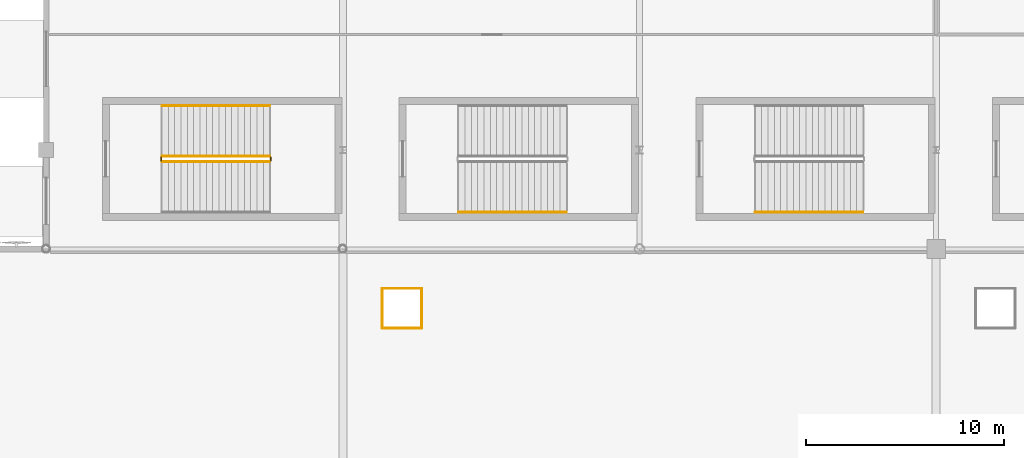
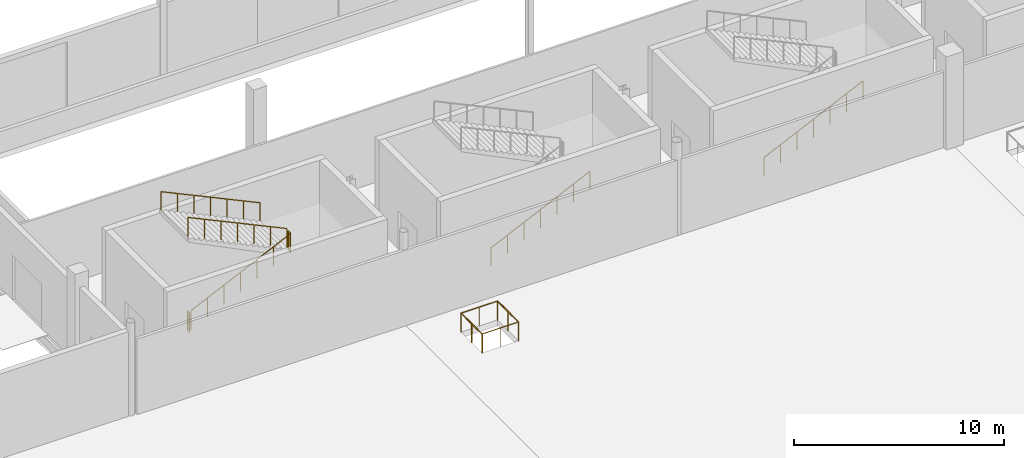
# One storey, part 78 of 94: 11 railings.
"""IFC4 building model written with IfcOpenShell, lengths in metres."""

from ifc_helpers import new_model, si_unit, direction, frame, origin, origin_2d, place, context, subcontext, project, spatial, circle, extrude, material, type_object, element, save


model = new_model("IFC4")

# Units and contexts
model_context = context("Model", 3, precision=1e-05, world=origin(), true_north=direction((0.0, 1.0)))
body_context = subcontext(model_context, "Body", "Model", "MODEL_VIEW")
ifc_project = project(units=[si_unit("LENGTHUNIT", "METRE"), si_unit("AREAUNIT", "SQUARE_METRE"), si_unit("VOLUMEUNIT", "CUBIC_METRE"), si_unit("PLANEANGLEUNIT", "RADIAN"), si_unit("MASSUNIT", "GRAM", prefix="KILO")], contexts=[model_context])

# Site, building, storey
site_placement = place(None, origin())
site = spatial("IfcSite", under=ifc_project, at=site_placement, CompositionType="ELEMENT")
building_placement = place(site_placement, origin())
building = spatial("IfcBuilding", under=site, at=building_placement, Name="Qamarlyn Nura Convention Centre", CompositionType="ELEMENT")
storey_placement = place(building_placement, origin())
storey = spatial("IfcBuildingStorey", under=building, at=storey_placement, Name="L00", CompositionType="ELEMENT", Elevation=0.0)

# Railings
ifc_material = material(Name="Marine Grade 316 stainless steel", Category="steel")
railing_type_1 = type_object("IfcRailingType", Name="GRD-STAIR-112", PredefinedType="BALUSTRADE", material=ifc_material)
railing_1_placement = place(storey_placement, frame((20.860107421875, 107.409912109375, 0.14990234375)))
element("IfcRailing", 1, at=railing_1_placement, inside=storey, type_object=railing_type_1, Name="L00 ST-01 stair guard 1", PredefinedType="BALUSTRADE", context=body_context, shape_type="SweptSolid", body=[
    extrude(circle(Radius=0.02392578125, at=origin_2d()), frame((0.0, 0.0, 1.09619140625), z_axis=(0.90545405566, 0.0, 0.424444287379), x_axis=(0.0, 1.0, 0.0)), (0.0, 0.0, 1.0), 6.008056640625),
    extrude(circle(Radius=0.02099609375, at=origin_2d()), origin(), (0.0, 0.0, 1.0), 1.070068359375),
    extrude(circle(Radius=0.02099609375, at=origin_2d()), frame((0.90673828125, 0.0, 0.425048828125)), (0.0, 0.0, 1.0), 1.070068359375),
    extrude(circle(Radius=0.02099609375, at=origin_2d()), frame((1.813232421875, 0.0, 0.85009765625)), (0.0, 0.0, 1.0), 1.070068359375),
    extrude(circle(Radius=0.02099609375, at=origin_2d()), frame((2.719970703125, 0.0, 1.27490234375)), (0.0, 0.0, 1.0), 1.070068359375),
    extrude(circle(Radius=0.02099609375, at=origin_2d()), frame((3.626708984375, 0.0, 1.699951171875)), (0.0, 0.0, 1.0), 1.070068359375),
    extrude(circle(Radius=0.02099609375, at=origin_2d()), frame((4.533203125, 0.0, 2.125)), (0.0, 0.0, 1.0), 1.070068359375),
    extrude(circle(Radius=0.02099609375, at=origin_2d()), frame((5.43994140625, 0.0, 2.550048828125)), (0.0, 0.0, 1.0), 1.070068359375),
])
railing_2_placement = place(storey_placement, frame((26.35009765625, 107.4599609375, 2.699951171875)))
element("IfcRailing", 2, at=railing_2_placement, inside=storey, type_object=railing_type_1, Name="L00 ST-01 stair guard 2", PredefinedType="BALUSTRADE", context=body_context, shape_type="SweptSolid", body=[
    extrude(circle(Radius=0.02392578125, at=origin_2d()), frame((0.0, 0.0, 1.09619140625), z_axis=(0.0, 1.0, 0.0), x_axis=(-1.0, 0.0, 0.0)), (0.0, 0.0, 1.0), 0.179931640625),
    extrude(circle(Radius=0.02099609375, at=origin_2d()), origin(), (0.0, 0.0, 1.0), 1.070068359375),
    extrude(circle(Radius=0.02099609375, at=origin_2d()), frame((0.0, 0.179931640625, 0.0)), (0.0, 0.0, 1.0), 1.070068359375),
])
railing_3_placement = place(storey_placement, frame((26.300048828125, 107.68994140625, 2.85009765625)))
element("IfcRailing", 3, at=railing_3_placement, inside=storey, type_object=railing_type_1, Name="L00 ST-01 stair guard 3", PredefinedType="BALUSTRADE", context=body_context, shape_type="SweptSolid", body=[
    extrude(circle(Radius=0.02392578125, at=origin_2d()), frame((0.0, 0.0, 1.09619140625), z_axis=(-0.90546967238, 0.0, 0.424410971113), x_axis=(0.0, -1.0, 0.0)), (0.0, 0.0, 1.0), 6.0078125),
    extrude(circle(Radius=0.02099609375, at=origin_2d()), origin(), (0.0, 0.0, 1.0), 1.070068359375),
    extrude(circle(Radius=0.02099609375, at=origin_2d()), frame((-0.90673828125, 0.0, 0.425048828125)), (0.0, 0.0, 1.0), 1.070068359375),
    extrude(circle(Radius=0.02099609375, at=origin_2d()), frame((-1.813232421875, 0.0, 0.849853515625)), (0.0, 0.0, 1.0), 1.070068359375),
    extrude(circle(Radius=0.02099609375, at=origin_2d()), frame((-2.719970703125, 0.0, 1.27490234375)), (0.0, 0.0, 1.0), 1.070068359375),
    extrude(circle(Radius=0.02099609375, at=origin_2d()), frame((-3.626708984375, 0.0, 1.699951171875)), (0.0, 0.0, 1.0), 1.070068359375),
    extrude(circle(Radius=0.02099609375, at=origin_2d()), frame((-4.533203125, 0.0, 2.124755859375)), (0.0, 0.0, 1.0), 1.070068359375),
    extrude(circle(Radius=0.02099609375, at=origin_2d()), frame((-5.43994140625, 0.0, 2.5498046875)), (0.0, 0.0, 1.0), 1.070068359375),
])
railing_4_placement = place(storey_placement, frame((20.81005859375, 107.4599609375, 0.0)))
element("IfcRailing", 4, at=railing_4_placement, inside=storey, type_object=railing_type_1, Name="L00 ST-01 stair guard 4", PredefinedType="BALUSTRADE", context=body_context, shape_type="SweptSolid", body=[
    extrude(circle(Radius=0.02392578125, at=origin_2d()), frame((0.0, 0.0, 1.09619140625), z_axis=(0.0, 1.0, 0.0), x_axis=(-1.0, 0.0, 0.0)), (0.0, 0.0, 1.0), 0.179931640625),
    extrude(circle(Radius=0.02099609375, at=origin_2d()), origin(), (0.0, 0.0, 1.0), 1.070068359375),
    extrude(circle(Radius=0.02099609375, at=origin_2d()), frame((0.0, 0.179931640625, 0.0)), (0.0, 0.0, 1.0), 1.070068359375),
])
railing_type_2 = type_object("IfcRailingType", Name="GRD-VOID-112", PredefinedType="BALUSTRADE", material=ifc_material)
railing_5_placement = place(storey_placement, frame((32.0, 101.0, 0.0)))
element("IfcRailing", 5, at=railing_5_placement, inside=storey, type_object=railing_type_2, Name="L00 slab edge balustrade guard 017", PredefinedType="BALUSTRADE", context=body_context, shape_type="SweptSolid", body=[
    extrude(circle(Radius=0.02392578125, at=origin_2d()), frame((0.0, 0.0, 1.09619140625), z_axis=(0.0, -1.0, 0.0), x_axis=(1.0, 0.0, 0.0)), (0.0, 0.0, 1.0), 2.0),
    extrude(circle(Radius=0.02099609375, at=origin_2d()), origin(), (0.0, 0.0, 1.0), 1.070068359375),
    extrude(circle(Radius=0.02099609375, at=origin_2d()), frame((0.0, -1.0, 0.0)), (0.0, 0.0, 1.0), 1.070068359375),
    extrude(circle(Radius=0.02099609375, at=origin_2d()), frame((0.0, -2.0, 0.0)), (0.0, 0.0, 1.0), 1.070068359375),
])
railing_6_placement = place(storey_placement, frame((32.0, 99.0, 0.0)))
element("IfcRailing", 6, at=railing_6_placement, inside=storey, type_object=railing_type_2, Name="L00 slab edge balustrade guard 018", PredefinedType="BALUSTRADE", context=body_context, shape_type="SweptSolid", body=[
    extrude(circle(Radius=0.02392578125, at=origin_2d()), frame((0.0, 0.0, 1.09619140625), z_axis=(1.0, 0.0, 0.0), x_axis=(0.0, 1.0, 0.0)), (0.0, 0.0, 1.0), 2.0),
    extrude(circle(Radius=0.02099609375, at=origin_2d()), origin(), (0.0, 0.0, 1.0), 1.070068359375),
    extrude(circle(Radius=0.02099609375, at=origin_2d()), frame((1.0, 0.0, 0.0)), (0.0, 0.0, 1.0), 1.070068359375),
    extrude(circle(Radius=0.02099609375, at=origin_2d()), frame((2.0, 0.0, 0.0)), (0.0, 0.0, 1.0), 1.070068359375),
])
railing_7_placement = place(storey_placement, frame((34.0, 99.0, 0.0)))
element("IfcRailing", 7, at=railing_7_placement, inside=storey, type_object=railing_type_2, Name="L00 slab edge balustrade guard 019", PredefinedType="BALUSTRADE", context=body_context, shape_type="SweptSolid", body=[
    extrude(circle(Radius=0.02392578125, at=origin_2d()), frame((0.0, 0.0, 1.09619140625), z_axis=(0.0, 1.0, 0.0), x_axis=(-1.0, 0.0, 0.0)), (0.0, 0.0, 1.0), 2.0),
    extrude(circle(Radius=0.02099609375, at=origin_2d()), origin(), (0.0, 0.0, 1.0), 1.070068359375),
    extrude(circle(Radius=0.02099609375, at=origin_2d()), frame((0.0, 1.0, 0.0)), (0.0, 0.0, 1.0), 1.070068359375),
    extrude(circle(Radius=0.02099609375, at=origin_2d()), frame((0.0, 2.0, 0.0)), (0.0, 0.0, 1.0), 1.070068359375),
])
railing_8_placement = place(storey_placement, frame((34.0, 101.0, 0.0)))
element("IfcRailing", 8, at=railing_8_placement, inside=storey, type_object=railing_type_2, Name="L00 slab edge balustrade guard 020", PredefinedType="BALUSTRADE", context=body_context, shape_type="SweptSolid", body=[
    extrude(circle(Radius=0.02392578125, at=origin_2d()), frame((0.0, 0.0, 1.09619140625), z_axis=(-1.0, 0.0, 0.0), x_axis=(0.0, -1.0, 0.0)), (0.0, 0.0, 1.0), 2.0),
    extrude(circle(Radius=0.02099609375, at=origin_2d()), origin(), (0.0, 0.0, 1.0), 1.070068359375),
    extrude(circle(Radius=0.02099609375, at=origin_2d()), frame((-1.0, 0.0, 0.0)), (0.0, 0.0, 1.0), 1.070068359375),
    extrude(circle(Radius=0.02099609375, at=origin_2d()), frame((-2.0, 0.0, 0.0)), (0.0, 0.0, 1.0), 1.070068359375),
])
railing_type_3 = type_object("IfcRailingType", Name="HRL-STAIR-090", PredefinedType="HANDRAIL", material=ifc_material)
railing_9_placement = place(storey_placement, frame((26.300048828125, 110.25, 3.002197265625)))
element("IfcRailing", 9, at=railing_9_placement, inside=storey, type_object=railing_type_3, Name="L00 ST-01 stair handrail 2", PredefinedType="HANDRAIL", context=body_context, shape_type="SweptSolid", body=[
    extrude(circle(Radius=0.02392578125, at=origin_2d()), frame((0.0, 0.0, 0.88818359375), z_axis=(-0.90545405566, 0.0, 0.424444287379), x_axis=(0.0, -1.0, 0.0)), (0.0, 0.0, 1.0), 6.008056640625),
    extrude(circle(Radius=0.02099609375, at=origin_2d()), frame((0.0, 0.0, -0.155029296875)), (0.0, 0.0, 1.0), 1.01708984375),
    extrude(circle(Radius=0.02099609375, at=origin_2d()), frame((-0.90673828125, 0.0, 0.27001953125)), (0.0, 0.0, 1.0), 1.01708984375),
    extrude(circle(Radius=0.02099609375, at=origin_2d()), frame((-1.813232421875, 0.0, 0.695068359375)), (0.0, 0.0, 1.0), 1.01708984375),
    extrude(circle(Radius=0.02099609375, at=origin_2d()), frame((-2.719970703125, 0.0, 1.1201171875)), (0.0, 0.0, 1.0), 1.01708984375),
    extrude(circle(Radius=0.02099609375, at=origin_2d()), frame((-3.626708984375, 0.0, 1.544921875)), (0.0, 0.0, 1.0), 1.01708984375),
    extrude(circle(Radius=0.02099609375, at=origin_2d()), frame((-4.533203125, 0.0, 1.969970703125)), (0.0, 0.0, 1.0), 1.01708984375),
    extrude(circle(Radius=0.02099609375, at=origin_2d()), frame((-5.43994140625, 0.0, 2.39501953125)), (0.0, 0.0, 1.0), 1.01708984375),
])
for number, where, name in (
    (10, (35.860107421875, 104.85009765625, 0.30224609375), "L00 ST-02 stair handrail 1"),
    (11, (50.860107421875, 104.85009765625, 0.30224609375), "L00 ST-03 stair handrail 1"),
):
    element("IfcRailing", number, at=place(storey_placement, frame(where)), inside=storey, type_object=railing_type_3, Name=name, PredefinedType="HANDRAIL", context=body_context, shape_type="SweptSolid", body=[
        extrude(circle(Radius=0.02392578125, at=origin_2d()), frame((0.0, 0.0, 0.88818359375), z_axis=(0.90545405566, 0.0, 0.424444287379), x_axis=(0.0, 1.0, 0.0)), (0.0, 0.0, 1.0), 6.008056640625),
        extrude(circle(Radius=0.02099609375, at=origin_2d()), frame((0.0, 0.0, -0.155029296875)), (0.0, 0.0, 1.0), 1.01708984375),
        extrude(circle(Radius=0.02099609375, at=origin_2d()), frame((0.90673828125, 0.0, 0.27001953125)), (0.0, 0.0, 1.0), 1.01708984375),
        extrude(circle(Radius=0.02099609375, at=origin_2d()), frame((1.813232421875, 0.0, 0.695068359375)), (0.0, 0.0, 1.0), 1.01708984375),
        extrude(circle(Radius=0.02099609375, at=origin_2d()), frame((2.719970703125, 0.0, 1.1201171875)), (0.0, 0.0, 1.0), 1.01708984375),
        extrude(circle(Radius=0.02099609375, at=origin_2d()), frame((3.626708984375, 0.0, 1.544921875)), (0.0, 0.0, 1.0), 1.01708984375),
        extrude(circle(Radius=0.02099609375, at=origin_2d()), frame((4.533203125, 0.0, 1.969970703125)), (0.0, 0.0, 1.0), 1.01708984375),
        extrude(circle(Radius=0.02099609375, at=origin_2d()), frame((5.43994140625, 0.0, 2.39501953125)), (0.0, 0.0, 1.0), 1.01708984375),
    ])

save(model, "model.ifc")
